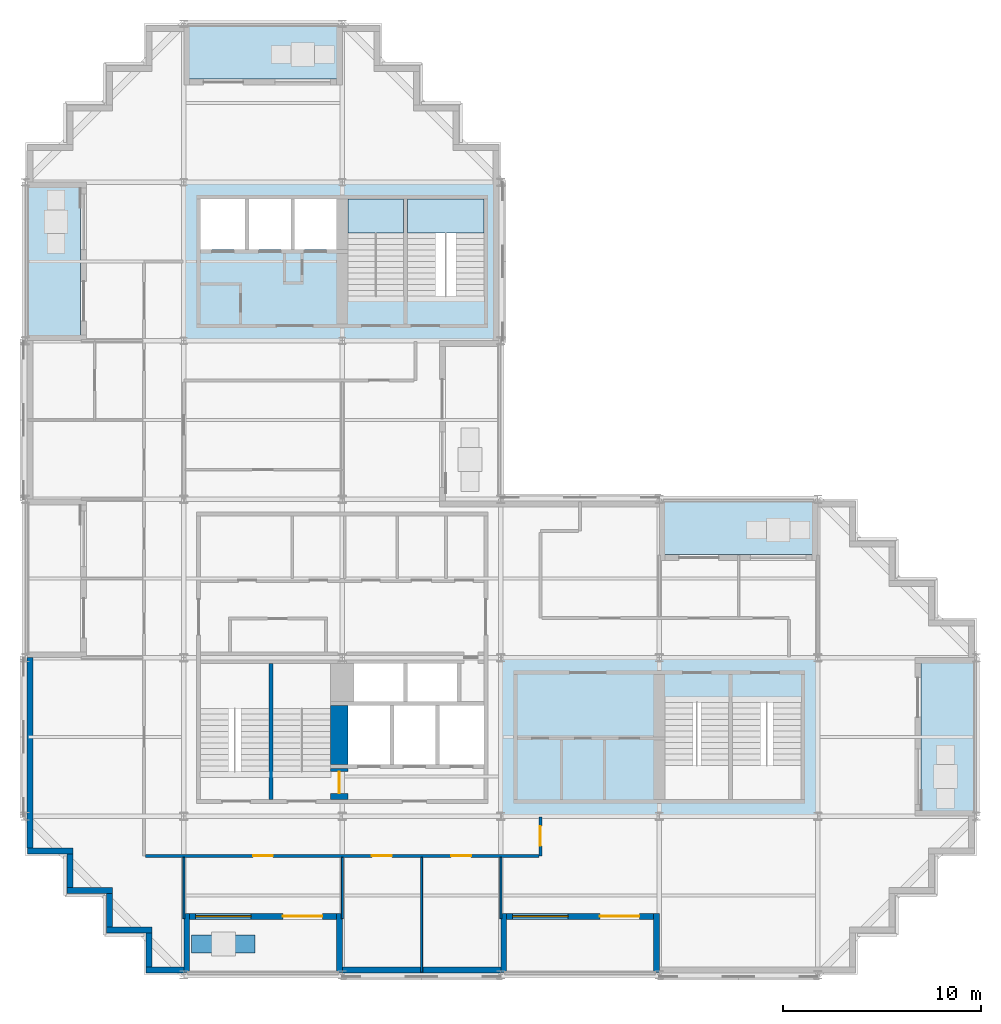
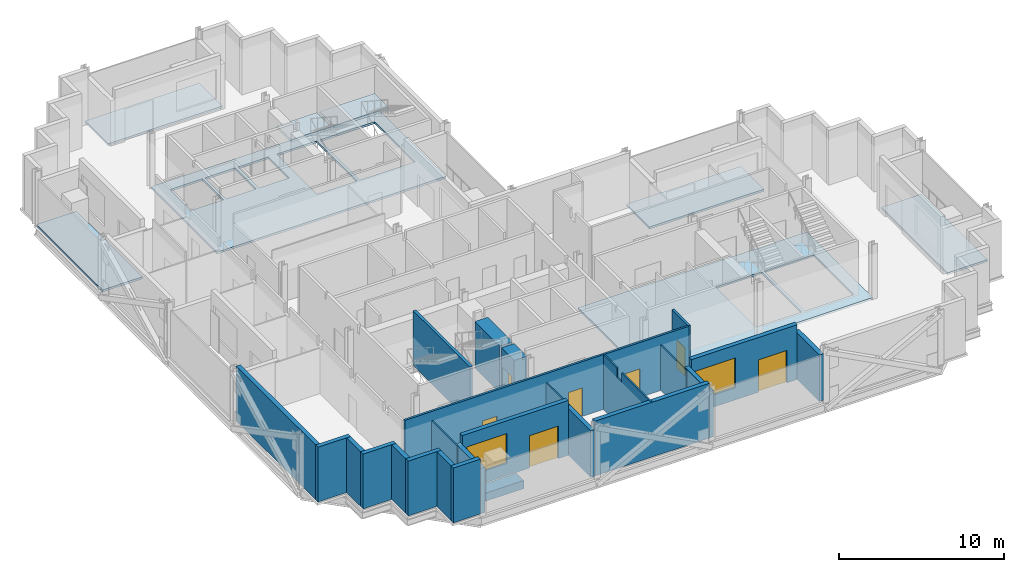
# One storey, part 4 of 12: 25 walls, 8 slabs, 7 doors, 2 windows, 9 openings, 2 elements without a shape of their own.
"""IFC4 building model written with IfcOpenShell, lengths in metres."""

from ifc_helpers import new_model, si_unit, direction, frame, frame_2d, origin, place, context, subcontext, project, spatial, polyline, rectangle, outline, extrude, material, layer, layer_set, type_object, element, fill, aggregate, save


model = new_model("IFC4")

# Units and contexts
model_context = context("Model", 3, precision=1e-05, world=origin(), true_north=direction((0.0, 1.0)))
body_context = subcontext(model_context, "Body", "Model", "MODEL_VIEW")
ifc_project = project(units=[si_unit("LENGTHUNIT", "METRE"), si_unit("AREAUNIT", "SQUARE_METRE"), si_unit("VOLUMEUNIT", "CUBIC_METRE"), si_unit("PLANEANGLEUNIT", "RADIAN"), si_unit("MASSUNIT", "GRAM", prefix="KILO")], contexts=[model_context])

# Site, building, storey
site_placement = place(None, origin())
site = spatial("IfcSite", under=ifc_project, at=site_placement, CompositionType="ELEMENT")
building_placement = place(site_placement, origin())
building = spatial("IfcBuilding", under=site, at=building_placement, Name="Immortelle Media Tower", CompositionType="ELEMENT")
storey_placement = place(building_placement, frame((0.0, 0.0, 153.60009765625)))
storey = spatial("IfcBuildingStorey", under=building, at=storey_placement, Name="L31", CompositionType="ELEMENT", Elevation=153.60009765625)

# Slabs
ifc_material_1 = material(Name="Concrete C50/60 composite deck", Category="concrete")
ifc_layer_1 = layer(ifc_material_1, 0.14990234375)
ifc_layer_set_1 = layer_set([ifc_layer_1], Name="Concrete C50/60 composite deck")
slab_type_1 = type_object("IfcSlabType", Name="Balcony slab 150", PredefinedType="FLOOR", material=ifc_layer_set_1)
slab_1_placement = place(storey_placement, frame((0.0, 0.0, -0.150146484375)))
element("IfcSlab", 1, at=slab_1_placement, inside=storey, type_object=slab_type_1, Name="Balcony slab L31 E0", PredefinedType="FLOOR", context=body_context, shape_type="SweptSolid", body=[
    extrude(outline(polyline([(48.0, 8.0), (48.0, 16.0), (45.199951171875, 16.0), (45.199951171875, 8.0), (48.0, 8.0)])), origin(), (0.0, 0.0, 1.0), 0.150146484375),
])
slab_2_placement = place(storey_placement, frame((0.0, 0.0, -0.150146484375)))
element("IfcSlab", 2, at=slab_2_placement, inside=storey, type_object=slab_type_1, Name="Balcony slab L31 N0", PredefinedType="FLOOR", context=body_context, shape_type="SweptSolid", body=[
    extrude(outline(polyline([(40.0, 21.199951171875), (40.0, 24.0), (32.0, 24.0), (32.0, 21.199951171875), (40.0, 21.199951171875)])), origin(), (0.0, 0.0, 1.0), 0.150146484375),
])
slab_3_placement = place(storey_placement, frame((0.0, 0.0, -0.150146484375)))
element("IfcSlab", 3, at=slab_3_placement, inside=storey, type_object=slab_type_1, Name="Balcony slab L31 N0", PredefinedType="FLOOR", context=body_context, shape_type="SweptSolid", body=[
    extrude(outline(polyline([(16.0, 45.199951171875), (16.0, 48.0), (8.0, 48.0), (8.0, 45.199951171875), (16.0, 45.199951171875)])), origin(), (0.0, 0.0, 1.0), 0.150146484375),
])
slab_4_placement = place(storey_placement, frame((0.0, 0.0, -0.150146484375)))
element("IfcSlab", 4, at=slab_4_placement, inside=storey, type_object=slab_type_1, Name="Balcony slab L31 W0", PredefinedType="FLOOR", context=body_context, shape_type="SweptSolid", body=[
    extrude(outline(polyline([(2.800048828125, 32.0), (2.800048828125, 40.0), (0.0, 40.0), (0.0, 32.0), (2.800048828125, 32.0)])), origin(), (0.0, 0.0, 1.0), 0.150146484375),
])
ifc_material_2 = material(Name="Concrete C50/60", Category="concrete")
ifc_layer_2 = layer(ifc_material_2, 0.14990234375)
ifc_layer_set_2 = layer_set([ifc_layer_2], Name="Concrete C50/60")
slab_type_2 = type_object("IfcSlabType", Name="Core floor slab 150", PredefinedType="FLOOR", material=ifc_layer_set_2)
slab_5_placement = place(storey_placement, frame((0.0, 0.0, -0.150146484375)))
element("IfcSlab", 5, at=slab_5_placement, inside=storey, type_object=slab_type_2, Name="Core floor SE", PredefinedType="FLOOR", context=body_context, shape_type="SweptSolid", body=[
    extrude(outline(polyline([(24.0, 8.0), (40.0, 8.0), (40.0, 16.0), (24.0, 16.0), (24.0, 8.0)]), holes=[polyline([(32.300048828125, 8.85009765625), (35.5, 8.85009765625), (35.5, 13.72998046875), (32.300048828125, 13.72998046875), (32.300048828125, 8.85009765625)]), polyline([(35.699951171875, 8.85009765625), (39.14990234375, 8.85009765625), (39.14990234375, 13.72998046875), (35.699951171875, 13.72998046875), (35.699951171875, 8.85009765625)])]), origin(), (0.0, 0.0, 1.0), 0.150146484375),
])
slab_6_placement = place(storey_placement, frame((0.0, 0.0, -0.150146484375)))
element("IfcSlab", 6, at=slab_6_placement, inside=storey, type_object=slab_type_2, Name="Core floor NW", PredefinedType="FLOOR", context=body_context, shape_type="SweptSolid", body=[
    extrude(outline(polyline([(8.0, 32.0), (24.0, 32.0), (24.0, 40.0), (8.0, 40.0), (8.0, 32.0)]), holes=[polyline([(8.85009765625, 36.60009765625), (11.10009765625, 36.60009765625), (11.10009765625, 39.14990234375), (8.85009765625, 39.14990234375), (8.85009765625, 36.60009765625)]), polyline([(11.300048828125, 36.60009765625), (13.39990234375, 36.60009765625), (13.39990234375, 39.14990234375), (11.300048828125, 39.14990234375), (11.300048828125, 36.60009765625)]), polyline([(13.60009765625, 36.60009765625), (15.699951171875, 36.60009765625), (15.699951171875, 39.14990234375), (13.60009765625, 39.14990234375), (13.60009765625, 36.60009765625)]), polyline([(16.300048828125, 34.27001953125), (19.10009765625, 34.27001953125), (19.10009765625, 39.14990234375), (16.300048828125, 39.14990234375), (16.300048828125, 34.27001953125)]), polyline([(19.300048828125, 34.27001953125), (23.14990234375, 34.27001953125), (23.14990234375, 39.14990234375), (19.300048828125, 39.14990234375), (19.300048828125, 34.27001953125)])]), origin(), (0.0, 0.0, 1.0), 0.150146484375),
])

# Stair, slab
ifc_material_3 = material(Name="Steel ASTM A992 Gr 50", Category="steel")
stair_type = type_object("IfcStairType", Name="Stair with flights", PredefinedType="DOUBLE_RETURN_STAIR", material=ifc_material_3)
stair_1_placement = place(storey_placement, origin())
stair_1 = element("IfcStair", 7, at=stair_1_placement, inside=storey, type_object=stair_type, Name="Exit stair NW1", PredefinedType="DOUBLE_RETURN_STAIR")
ifc_material_4 = material(Name="Steel ASTM A572 Gr 50", Category="steel")
ifc_layer_3 = layer(ifc_material_4, 0.199951171875)
ifc_layer_set_3 = layer_set([ifc_layer_3], Name="Steel ASTM A572 Gr 50")
slab_type_3 = type_object("IfcSlabType", Name="Stair landing 200", PredefinedType="LANDING", material=ifc_layer_set_3)
slab_7_placement = place(storey_placement, frame((0.0, 0.0, 1.89990234375)))
slab_7 = element("IfcSlab", 8, at=slab_7_placement, type_object=slab_type_3, Name="ST NW1 landing 1", PredefinedType="LANDING", context=body_context, shape_type="SweptSolid", body=[
    extrude(outline(polyline([(16.300048828125, 37.43994140625), (19.10009765625, 37.43994140625), (19.10009765625, 39.14990234375), (16.300048828125, 39.14990234375), (16.300048828125, 37.43994140625)])), origin(), (0.0, 0.0, 1.0), 0.199951171875),
])
aggregate(stair_1, [slab_7])

stair_2_placement = place(storey_placement, origin())
stair_2 = element("IfcStair", 9, at=stair_2_placement, inside=storey, type_object=stair_type, Name="Exit stair NW2", PredefinedType="DOUBLE_RETURN_STAIR")
slab_8_placement = place(storey_placement, frame((0.0, 0.0, 1.89990234375)))
slab_8 = element("IfcSlab", 10, at=slab_8_placement, type_object=slab_type_3, Name="ST NW2 landing 1", PredefinedType="LANDING", context=body_context, shape_type="SweptSolid", body=[
    extrude(outline(polyline([(19.300048828125, 37.43994140625), (23.14990234375, 37.43994140625), (23.14990234375, 39.14990234375), (19.300048828125, 39.14990234375), (19.300048828125, 37.43994140625)])), origin(), (0.0, 0.0, 1.0), 0.199951171875),
])
aggregate(stair_2, [slab_8])

# Wall, openings, doors
ifc_material_5 = material(Name="Fire-rated gypsum board", Category="gypsum")
ifc_layer_4 = layer(ifc_material_5, 0.012451171875)
ifc_material_6 = material(Name="Steel ASTM A653 SS Gr 50 stud frame with mineral wool", Category="steel")
ifc_layer_5 = layer(ifc_material_6, 0.125)
ifc_layer_6 = layer(ifc_material_5, 0.012451171875)
ifc_layer_set_4 = layer_set([ifc_layer_4, ifc_layer_5, ifc_layer_6], Name="Steel ASTM A653 SS Gr 50 stud frame with mineral wool")
wall_type_1 = type_object("IfcWallType", Name="Corridor wall 150", PredefinedType="PARTITIONING", material=ifc_layer_set_4)
wall_1_placement = place(storey_placement, frame((6.074951171875, 6.0, 0.0), z_axis=(0.0, 0.0, 1.0), x_axis=(1.0, 0.0, 0.0)))
wall_1 = element("IfcWall", 11, at=wall_1_placement, inside=storey, type_object=wall_type_1, Name="Partition L31-005", PredefinedType="PARTITIONING", context=body_context, shape_type="SweptSolid", body=[
    extrude(rectangle(XDim=19.85009765625, YDim=0.14990234375, at=frame_2d((9.925048828125, 0.0))), origin(), (0.0, 0.0, 1.0), 4.0498046875),
])
opening_1_placement = place(wall_1_placement, frame((12.425048828125, 0.0, 0.0), z_axis=(0.0, 0.0, 1.0), x_axis=(-1.0, 0.0, 0.0)))
opening_1 = element("IfcOpeningElement", 12, at=opening_1_placement, cuts=wall_1, Name="Opening C3-F001", PredefinedType="OPENING", context=body_context, shape_type="SweptSolid", body=[
    extrude(rectangle(XDim=1.0, YDim=2.10009765625, at=frame_2d((0.5, 1.050048828125))), frame((0.0, 0.0849609375, 0.0), z_axis=(0.0, -1.0, 0.0), x_axis=(1.0, 0.0, 0.0)), (0.0, 0.0, 1.0), 0.169921875),
])
opening_2_placement = place(wall_1_placement, frame((16.425048828125, 0.0, 0.0), z_axis=(0.0, 0.0, 1.0), x_axis=(-1.0, 0.0, 0.0)))
opening_2 = element("IfcOpeningElement", 13, at=opening_2_placement, cuts=wall_1, Name="Opening C3-F002", PredefinedType="OPENING", context=body_context, shape_type="SweptSolid", body=[
    extrude(rectangle(XDim=1.0, YDim=2.10009765625, at=frame_2d((0.5, 1.050048828125))), frame((0.0, 0.0849609375, 0.0), z_axis=(0.0, -1.0, 0.0), x_axis=(1.0, 0.0, 0.0)), (0.0, 0.0, 1.0), 0.169921875),
])
opening_3_placement = place(wall_1_placement, frame((6.425048828125, 0.0, 0.0), z_axis=(0.0, 0.0, 1.0), x_axis=(-1.0, 0.0, 0.0)))
opening_3 = element("IfcOpeningElement", 14, at=opening_3_placement, cuts=wall_1, Name="Opening C3-F003", PredefinedType="OPENING", context=body_context, shape_type="SweptSolid", body=[
    extrude(rectangle(XDim=1.0, YDim=2.10009765625, at=frame_2d((0.5, 1.050048828125))), frame((0.0, 0.0849609375, 0.0), z_axis=(0.0, -1.0, 0.0), x_axis=(1.0, 0.0, 0.0)), (0.0, 0.0, 1.0), 0.169921875),
])
ifc_material_7 = material(Name="Timber veneered door leaf, galvanised steel frame ASTM A653", Category="steel")
door_type_1 = type_object("IfcDoorType", Name="Room door 1000 x 2100", OperationType="NOTDEFINED", PredefinedType="DOOR", material=ifc_material_7)
door_1_placement = place(opening_1_placement, origin())
door_1 = element("IfcDoor", 15, at=door_1_placement, inside=storey, type_object=door_type_1, Name="Door C3-F001", OperationType="SINGLE_SWING_RIGHT", OverallHeight=2.10009765625, OverallWidth=1.0, PredefinedType="DOOR", context=body_context, shape_type="SweptSolid", body=[
    extrude(rectangle(XDim=1.0, YDim=2.10009765625, at=frame_2d((0.5, 1.050048828125))), frame((0.0, 0.02490234375, 0.0), z_axis=(0.0, -1.0, 0.0), x_axis=(1.0, 0.0, 0.0)), (0.0, 0.0, 1.0), 0.050048828125),
])
fill(opening_1, door_1)
door_2_placement = place(opening_2_placement, origin())
door_2 = element("IfcDoor", 16, at=door_2_placement, inside=storey, type_object=door_type_1, Name="Door C3-F002", OperationType="SINGLE_SWING_RIGHT", OverallHeight=2.10009765625, OverallWidth=1.0, PredefinedType="DOOR", context=body_context, shape_type="SweptSolid", body=[
    extrude(rectangle(XDim=1.0, YDim=2.10009765625, at=frame_2d((0.5, 1.050048828125))), frame((0.0, 0.02490234375, 0.0), z_axis=(0.0, -1.0, 0.0), x_axis=(1.0, 0.0, 0.0)), (0.0, 0.0, 1.0), 0.050048828125),
])
fill(opening_2, door_2)
door_3_placement = place(opening_3_placement, origin())
door_3 = element("IfcDoor", 17, at=door_3_placement, inside=storey, type_object=door_type_1, Name="Door C3-F003", OperationType="SINGLE_SWING_RIGHT", OverallHeight=2.10009765625, OverallWidth=1.0, PredefinedType="DOOR", context=body_context, shape_type="SweptSolid", body=[
    extrude(rectangle(XDim=1.0, YDim=2.10009765625, at=frame_2d((0.5, 1.050048828125))), frame((0.0, 0.02490234375, 0.0), z_axis=(0.0, -1.0, 0.0), x_axis=(1.0, 0.0, 0.0)), (0.0, 0.0, 1.0), 0.050048828125),
])
fill(opening_3, door_3)

# Wall, opening, door
wall_2_placement = place(storey_placement, frame((26.0, 6.0, 0.0), z_axis=(0.0, 0.0, 1.0), x_axis=(0.0, 1.0, 0.0)))
wall_2 = element("IfcWall", 18, at=wall_2_placement, inside=storey, type_object=wall_type_1, Name="Partition L31-007", PredefinedType="PARTITIONING", context=body_context, shape_type="SweptSolid", body=[
    extrude(rectangle(XDim=1.969970703125, YDim=0.14990234375, at=frame_2d((0.98486328125, 0.0))), origin(), (0.0, 0.0, 1.0), 4.0498046875),
])
opening_4_placement = place(wall_2_placement, frame((1.5, 0.0, 0.0), z_axis=(0.0, 0.0, 1.0), x_axis=(-1.0, 0.0, 0.0)))
opening_4 = element("IfcOpeningElement", 19, at=opening_4_placement, cuts=wall_2, Name="Opening C3-F004", PredefinedType="OPENING", context=body_context, shape_type="SweptSolid", body=[
    extrude(rectangle(XDim=1.0, YDim=2.10009765625, at=frame_2d((0.5, 1.050048828125))), frame((0.0, 0.0849609375, 0.0), z_axis=(0.0, -1.0, 0.0), x_axis=(1.0, 0.0, 0.0)), (0.0, 0.0, 1.0), 0.169921875),
])
door_4_placement = place(opening_4_placement, origin())
door_4 = element("IfcDoor", 20, at=door_4_placement, inside=storey, type_object=door_type_1, Name="Door C3-F004", OperationType="SINGLE_SWING_LEFT", OverallHeight=2.10009765625, OverallWidth=1.0, PredefinedType="DOOR", context=body_context, shape_type="SweptSolid", body=[
    extrude(rectangle(XDim=1.0, YDim=2.10009765625, at=frame_2d((0.5, 1.050048828125))), frame((0.0, 0.02490234375, 0.0), z_axis=(0.0, -1.0, 0.0), x_axis=(1.0, 0.0, 0.0)), (0.0, 0.0, 1.0), 0.050048828125),
])
fill(opening_4, door_4)

# Walls
ifc_material_8 = material(Name="Pale aluminium cladding panel", Category="aluminium")
ifc_layer_7 = layer(ifc_material_8, 0.030029296875)
ifc_layer_8 = layer(ifc_material_6, 0.257568359375)
ifc_material_9 = material(Name="Moisture-resistant gypsum board", Category="gypsum")
ifc_layer_9 = layer(ifc_material_9, 0.012451171875)
ifc_layer_set_5 = layer_set([ifc_layer_7, ifc_layer_8, ifc_layer_9], Name="Steel ASTM A653 SS Gr 50 stud frame with mineral wool")
wall_type_2 = type_object("IfcWallType", Name="Facade wall 300", PredefinedType="SOLIDWALL", material=ifc_layer_set_5)
wall_3_placement = place(storey_placement, frame((0.10009765625, 6.25, 0.0), z_axis=(0.0, 0.0, 1.0), x_axis=(1.0, 0.0, 0.0)))
element("IfcWall", 21, at=wall_3_placement, inside=storey, type_object=wall_type_2, Name="Facade wall L31 S0", PredefinedType="SOLIDWALL", context=body_context, shape_type="SweptSolid", body=[
    extrude(rectangle(XDim=2.2998046875, YDim=0.300048828125, at=frame_2d((1.14990234375, 0.0))), origin(), (0.0, 0.0, 1.0), 4.0498046875),
])
wall_4_placement = place(storey_placement, frame((2.25, 6.10009765625, 0.0), z_axis=(0.0, 0.0, 1.0), x_axis=(0.0, -1.0, 0.0)))
element("IfcWall", 22, at=wall_4_placement, inside=storey, type_object=wall_type_2, Name="Facade wall L31 W1", PredefinedType="SOLIDWALL", context=body_context, shape_type="SweptSolid", body=[
    extrude(rectangle(XDim=1.7001953125, YDim=0.300048828125, at=frame_2d((0.85009765625, 0.0))), origin(), (0.0, 0.0, 1.0), 4.0498046875),
])
wall_5_placement = place(storey_placement, frame((2.10009765625, 4.25, 0.0), z_axis=(0.0, 0.0, 1.0), x_axis=(1.0, 0.0, 0.0)))
element("IfcWall", 23, at=wall_5_placement, inside=storey, type_object=wall_type_2, Name="Facade wall L31 S2", PredefinedType="SOLIDWALL", context=body_context, shape_type="SweptSolid", body=[
    extrude(rectangle(XDim=2.2998046875, YDim=0.300048828125, at=frame_2d((1.14990234375, 0.0))), origin(), (0.0, 0.0, 1.0), 4.0498046875),
])
wall_6_placement = place(storey_placement, frame((4.25, 4.10009765625, 0.0), z_axis=(0.0, 0.0, 1.0), x_axis=(0.0, -1.0, 0.0)))
element("IfcWall", 24, at=wall_6_placement, inside=storey, type_object=wall_type_2, Name="Facade wall L31 W3", PredefinedType="SOLIDWALL", context=body_context, shape_type="SweptSolid", body=[
    extrude(rectangle(XDim=1.7001953125, YDim=0.300048828125, at=frame_2d((0.85009765625, 0.0))), origin(), (0.0, 0.0, 1.0), 4.0498046875),
])
wall_7_placement = place(storey_placement, frame((4.10009765625, 2.25, 0.0), z_axis=(0.0, 0.0, 1.0), x_axis=(1.0, 0.0, 0.0)))
element("IfcWall", 25, at=wall_7_placement, inside=storey, type_object=wall_type_2, Name="Facade wall L31 S4", PredefinedType="SOLIDWALL", context=body_context, shape_type="SweptSolid", body=[
    extrude(rectangle(XDim=2.2998046875, YDim=0.300048828125, at=frame_2d((1.14990234375, 0.0))), origin(), (0.0, 0.0, 1.0), 4.0498046875),
])
wall_8_placement = place(storey_placement, frame((6.25, 2.10009765625, 0.0), z_axis=(0.0, 0.0, 1.0), x_axis=(0.0, -1.0, 0.0)))
element("IfcWall", 26, at=wall_8_placement, inside=storey, type_object=wall_type_2, Name="Facade wall L31 W5", PredefinedType="SOLIDWALL", context=body_context, shape_type="SweptSolid", body=[
    extrude(rectangle(XDim=1.7001953125, YDim=0.300048828125, at=frame_2d((0.85009765625, 0.0))), origin(), (0.0, 0.0, 1.0), 4.0498046875),
])
wall_9_placement = place(storey_placement, frame((6.10009765625, 0.25, 0.0), z_axis=(0.0, 0.0, 1.0), x_axis=(1.0, 0.0, 0.0)))
element("IfcWall", 27, at=wall_9_placement, inside=storey, type_object=wall_type_2, Name="Facade wall L31 S6", PredefinedType="SOLIDWALL", context=body_context, shape_type="SweptSolid", body=[
    extrude(rectangle(XDim=1.89990234375, YDim=0.300048828125, at=frame_2d((0.949951171875, 0.0))), origin(), (0.0, 0.0, 1.0), 4.0498046875),
])

# Wall, openings, door, window
wall_10_placement = place(storey_placement, frame((8.300048828125, 2.949951171875, 0.0), z_axis=(0.0, 0.0, 1.0), x_axis=(1.0, 0.0, 0.0)))
wall_10 = element("IfcWall", 28, at=wall_10_placement, inside=storey, type_object=wall_type_2, Name="Loggia wall L31 S6", PredefinedType="SOLIDWALL", context=body_context, shape_type="SweptSolid", body=[
    extrude(rectangle(XDim=7.39990234375, YDim=0.300048828125, at=frame_2d((3.699951171875, 0.0))), origin(), (0.0, 0.0, 1.0), 4.0498046875),
])
opening_5_placement = place(wall_10_placement, frame((0.300048828125, 0.0, 0.89990234375)))
opening_5 = element("IfcOpeningElement", 29, at=opening_5_placement, cuts=wall_10, Name="Opening W1", PredefinedType="OPENING", context=body_context, shape_type="SweptSolid", body=[
    extrude(rectangle(XDim=2.800048828125, YDim=2.199951171875, at=frame_2d((1.39990234375, 1.10009765625))), frame((0.0, 0.159912109375, 0.0), z_axis=(0.0, -1.0, 0.0), x_axis=(1.0, 0.0, 0.0)), (0.0, 0.0, 1.0), 0.320068359375),
])
opening_6_placement = place(wall_10_placement, frame((4.699951171875, 0.0, 0.0)))
opening_6 = element("IfcOpeningElement", 30, at=opening_6_placement, cuts=wall_10, Name="Opening C3-E001", PredefinedType="OPENING", context=body_context, shape_type="SweptSolid", body=[
    extrude(rectangle(XDim=2.0, YDim=2.39990234375, at=frame_2d((1.0, 1.199951171875))), frame((0.0, 0.159912109375, 0.0), z_axis=(0.0, -1.0, 0.0), x_axis=(1.0, 0.0, 0.0)), (0.0, 0.0, 1.0), 0.320068359375),
])
ifc_material_10 = material(Name="Aluminium frame, glazed leaves", Category="aluminium")
door_type_2 = type_object("IfcDoorType", Name="Loggia door 2000 x 2400", OperationType="DOUBLE_DOOR_SINGLE_SWING", PredefinedType="DOOR", material=ifc_material_10)
door_5_placement = place(opening_6_placement, origin())
door_5 = element("IfcDoor", 31, at=door_5_placement, inside=storey, type_object=door_type_2, Name="Door C3-E001", OperationType="DOUBLE_DOOR_SINGLE_SWING", OverallHeight=2.39990234375, OverallWidth=2.0, PredefinedType="DOOR", context=body_context, shape_type="SweptSolid", body=[
    extrude(rectangle(XDim=2.0, YDim=2.39990234375, at=frame_2d((1.0, 1.199951171875))), frame((0.0, 0.02490234375, 0.0), z_axis=(0.0, -1.0, 0.0), x_axis=(1.0, 0.0, 0.0)), (0.0, 0.0, 1.0), 0.050048828125),
])
fill(opening_6, door_5)
ifc_material_11 = material(Name="Aluminium frame", Category="aluminium")
window_type = type_object("IfcWindowType", Name="Window 2800 x 2200", PartitioningType="SINGLE_PANEL", PredefinedType="WINDOW", material=ifc_material_11)
window_1_placement = place(opening_5_placement, origin())
window_1 = element("IfcWindow", 32, at=window_1_placement, inside=storey, type_object=window_type, Name="Window L31 L31-R6-B0", OverallHeight=2.199951171875, OverallWidth=2.800048828125, PartitioningType="SINGLE_PANEL", PredefinedType="WINDOW", context=body_context, shape_type="SweptSolid", body=[
    extrude(rectangle(XDim=2.800048828125, YDim=2.199951171875, at=frame_2d((1.39990234375, 1.10009765625))), frame((0.0, 0.030029296875, 0.0), z_axis=(0.0, -1.0, 0.0), x_axis=(1.0, 0.0, 0.0)), (0.0, 0.0, 1.0), 0.06005859375),
])
fill(opening_5, window_1)

# Walls
wall_11_placement = place(storey_placement, frame((8.14990234375, 0.10009765625, 0.0), z_axis=(0.0, 0.0, 1.0), x_axis=(0.0, 1.0, 0.0)))
element("IfcWall", 33, at=wall_11_placement, inside=storey, type_object=wall_type_2, Name="Loggia cheek wall L31 S", PredefinedType="SOLIDWALL", context=body_context, shape_type="SweptSolid", body=[
    extrude(rectangle(XDim=3.0, YDim=0.300048828125, at=frame_2d((1.5, 0.0))), origin(), (0.0, 0.0, 1.0), 3.352783203125),
])
wall_12_placement = place(storey_placement, frame((15.85009765625, 0.10009765625, 0.0), z_axis=(0.0, 0.0, 1.0), x_axis=(0.0, 1.0, 0.0)))
element("IfcWall", 34, at=wall_12_placement, inside=storey, type_object=wall_type_2, Name="Loggia cheek wall L31 S", PredefinedType="SOLIDWALL", context=body_context, shape_type="SweptSolid", body=[
    extrude(rectangle(XDim=3.0, YDim=0.300048828125, at=frame_2d((1.5, 0.0))), origin(), (0.0, 0.0, 1.0), 3.43701171875),
])
wall_13_placement = place(storey_placement, frame((16.0, 0.25, 0.0), z_axis=(0.0, 0.0, 1.0), x_axis=(1.0, 0.0, 0.0)))
element("IfcWall", 35, at=wall_13_placement, inside=storey, type_object=wall_type_2, Name="Facade wall L31 S6", PredefinedType="SOLIDWALL", context=body_context, shape_type="SweptSolid", body=[
    extrude(rectangle(XDim=8.0, YDim=0.300048828125, at=frame_2d((4.0, 0.0))), origin(), (0.0, 0.0, 1.0), 4.0498046875),
])

# Wall, openings, door, window
wall_14_placement = place(storey_placement, frame((24.300048828125, 2.949951171875, 0.0), z_axis=(0.0, 0.0, 1.0), x_axis=(1.0, 0.0, 0.0)))
wall_14 = element("IfcWall", 36, at=wall_14_placement, inside=storey, type_object=wall_type_2, Name="Loggia wall L31 S6", PredefinedType="SOLIDWALL", context=body_context, shape_type="SweptSolid", body=[
    extrude(rectangle(XDim=7.39990234375, YDim=0.300048828125, at=frame_2d((3.699951171875, 0.0))), origin(), (0.0, 0.0, 1.0), 4.0498046875),
])
opening_7_placement = place(wall_14_placement, frame((0.300048828125, 0.0, 0.89990234375)))
opening_7 = element("IfcOpeningElement", 37, at=opening_7_placement, cuts=wall_14, Name="Opening W1", PredefinedType="OPENING", context=body_context, shape_type="SweptSolid", body=[
    extrude(rectangle(XDim=2.800048828125, YDim=2.199951171875, at=frame_2d((1.39990234375, 1.10009765625))), frame((0.0, 0.159912109375, 0.0), z_axis=(0.0, -1.0, 0.0), x_axis=(1.0, 0.0, 0.0)), (0.0, 0.0, 1.0), 0.320068359375),
])
opening_8_placement = place(wall_14_placement, frame((4.699951171875, 0.0, 0.0)))
opening_8 = element("IfcOpeningElement", 38, at=opening_8_placement, cuts=wall_14, Name="Opening C3-E002", PredefinedType="OPENING", context=body_context, shape_type="SweptSolid", body=[
    extrude(rectangle(XDim=2.0, YDim=2.39990234375, at=frame_2d((1.0, 1.199951171875))), frame((0.0, 0.159912109375, 0.0), z_axis=(0.0, -1.0, 0.0), x_axis=(1.0, 0.0, 0.0)), (0.0, 0.0, 1.0), 0.320068359375),
])
door_6_placement = place(opening_8_placement, origin())
door_6 = element("IfcDoor", 39, at=door_6_placement, inside=storey, type_object=door_type_2, Name="Door C3-E002", OperationType="DOUBLE_DOOR_SINGLE_SWING", OverallHeight=2.39990234375, OverallWidth=2.0, PredefinedType="DOOR", context=body_context, shape_type="SweptSolid", body=[
    extrude(rectangle(XDim=2.0, YDim=2.39990234375, at=frame_2d((1.0, 1.199951171875))), frame((0.0, 0.02490234375, 0.0), z_axis=(0.0, -1.0, 0.0), x_axis=(1.0, 0.0, 0.0)), (0.0, 0.0, 1.0), 0.050048828125),
])
fill(opening_8, door_6)
window_2_placement = place(opening_7_placement, origin())
window_2 = element("IfcWindow", 40, at=window_2_placement, inside=storey, type_object=window_type, Name="Window L31 L31-R6-B2", OverallHeight=2.199951171875, OverallWidth=2.800048828125, PartitioningType="SINGLE_PANEL", PredefinedType="WINDOW", context=body_context, shape_type="SweptSolid", body=[
    extrude(rectangle(XDim=2.800048828125, YDim=2.199951171875, at=frame_2d((1.39990234375, 1.10009765625))), frame((0.0, 0.030029296875, 0.0), z_axis=(0.0, -1.0, 0.0), x_axis=(1.0, 0.0, 0.0)), (0.0, 0.0, 1.0), 0.06005859375),
])
fill(opening_7, window_2)

# Walls
for number, where, z_axis, x_axis, name in (
    (41, (24.14990234375, 0.10009765625, 0.0), (0.0, 0.0, 1.0), (0.0, 1.0, 0.0), "Loggia cheek wall L31 S"),
    (42, (31.85009765625, 0.10009765625, 0.0), (0.0, 0.0, 1.0), (0.0, 1.0, 0.0), "Loggia cheek wall L31 S"),
):
    element("IfcWall", number, at=place(storey_placement, frame(where, z_axis=z_axis, x_axis=x_axis)), inside=storey, type_object=wall_type_2, Name=name, PredefinedType="SOLIDWALL", context=body_context, shape_type="SweptSolid", body=[
        extrude(rectangle(XDim=3.0, YDim=0.300048828125, at=frame_2d((1.5, 0.0))), origin(), (0.0, 0.0, 1.0), 3.43701171875),
    ])
wall_15_placement = place(storey_placement, frame((0.25, 16.0, 0.0), z_axis=(0.0, 0.0, 1.0), x_axis=(0.0, -1.0, 0.0)))
element("IfcWall", 43, at=wall_15_placement, inside=storey, type_object=wall_type_2, Name="Facade wall L31 W35", PredefinedType="SOLIDWALL", context=body_context, shape_type="SweptSolid", body=[
    extrude(rectangle(XDim=9.60009765625, YDim=0.300048828125, at=frame_2d((4.800048828125, 0.0))), origin(), (0.0, 0.0, 1.0), 4.0498046875),
])
ifc_material_12 = material(Name="Gypsum board", Category="gypsum")
ifc_layer_10 = layer(ifc_material_12, 0.012451171875)
ifc_layer_11 = layer(ifc_material_6, 0.074951171875)
ifc_layer_12 = layer(ifc_material_12, 0.012451171875)
ifc_layer_set_6 = layer_set([ifc_layer_10, ifc_layer_11, ifc_layer_12], Name="Steel ASTM A653 SS Gr 50 stud frame with mineral wool")
wall_type_3 = type_object("IfcWallType", Name="Partition 100", PredefinedType="PARTITIONING", material=ifc_layer_set_6)
wall_16_placement = place(storey_placement, frame((20.0, 0.1298828125, 0.0), z_axis=(0.0, 0.0, 1.0), x_axis=(0.0, 1.0, 0.0)))
element("IfcWall", 44, at=wall_16_placement, inside=storey, type_object=wall_type_3, Name="Partition L31-001", PredefinedType="PARTITIONING", context=body_context, shape_type="SweptSolid", body=[
    extrude(outline(polyline([(0.0, 0.0), (5.795166015625, 0.0), (5.794921875, 4.0498046875), (4.169921875, 4.0498046875), (4.16796875, 3.35400390625), (3.572021484375, 3.35400390625), (3.570068359375, 4.0498046875), (0.0, 4.0498046875), (0.0, 0.0)])), frame((0.0, 0.050048828125, 0.0), z_axis=(0.0, -1.0, 0.0), x_axis=(1.0, 0.0, 0.0)), (0.0, 0.0, 1.0), 0.10009765625),
])
for number, where, z_axis, x_axis, name in (
    (45, (8.0, 2.830078125, 0.0), (0.0, 0.0, 1.0), (0.0, 1.0, 0.0), "Partition L31-002"),
    (46, (16.0, 2.830078125, 0.0), (0.0, 0.0, 1.0), (0.0, 1.0, 0.0), "Partition L31-003"),
    (47, (24.0, 2.830078125, 0.0), (0.0, 0.0, 1.0), (0.0, 1.0, 0.0), "Partition L31-004"),
):
    element("IfcWall", number, at=place(storey_placement, frame(where, z_axis=z_axis, x_axis=x_axis)), inside=storey, type_object=wall_type_3, Name=name, PredefinedType="PARTITIONING", context=body_context, shape_type="SweptSolid", body=[
        extrude(rectangle(XDim=3.094970703125, YDim=0.10009765625, at=frame_2d((1.54736328125, 0.0))), origin(), (0.0, 0.0, 1.0), 3.35400390625),
    ])
ifc_layer_13 = layer(ifc_material_8, 0.0029296875)
ifc_material_13 = material(Name="Steel ASTM A572 Gr 50 planter shell", Category="steel")
ifc_layer_14 = layer(ifc_material_13, 0.011962890625)
ifc_material_14 = material(Name="Planting substrate", Category="soil")
ifc_layer_15 = layer(ifc_material_14, 0.873046875)
ifc_layer_16 = layer(ifc_material_13, 0.011962890625)
ifc_layer_set_7 = layer_set([ifc_layer_13, ifc_layer_14, ifc_layer_15, ifc_layer_16], Name="Steel ASTM A572 Gr 50 planter shell")
wall_type_4 = type_object("IfcWallType", Name="Planter wall 900", PredefinedType="SOLIDWALL", material=ifc_layer_set_7)
wall_17_placement = place(storey_placement, frame((8.39990234375, 1.550048828125, 0.0), z_axis=(0.0, 0.0, 1.0), x_axis=(1.0, 0.0, 0.0)))
element("IfcWall", 48, at=wall_17_placement, inside=storey, type_object=wall_type_4, Name="Planter L31 S0", PredefinedType="SOLIDWALL", context=body_context, shape_type="SweptSolid", body=[
    extrude(rectangle(XDim=3.2001953125, YDim=0.89990234375, at=frame_2d((1.60009765625, 0.0))), origin(), (0.0, 0.0, 1.0), 0.599853515625),
])
ifc_material_15 = material(Name="Concrete C60", Category="concrete")
ifc_layer_17 = layer(ifc_material_15, 0.199951171875)
ifc_layer_set_8 = layer_set([ifc_layer_17], Name="Concrete C60")
wall_type_5 = type_object("IfcWallType", Name="Stair shaft wall 200", PredefinedType="PARTITIONING", material=ifc_layer_set_8)
wall_18_placement = place(storey_placement, frame((12.39990234375, 8.85009765625, 0.0), z_axis=(0.0, 0.0, 1.0), x_axis=(0.0, 1.0, 0.0)))
element("IfcWall", 49, at=wall_18_placement, inside=storey, type_object=wall_type_5, Name="Stair shaft wall SW", PredefinedType="PARTITIONING", context=body_context, shape_type="SweptSolid", body=[
    extrude(rectangle(XDim=6.849853515625, YDim=0.199951171875, at=frame_2d((3.4248046875, 0.0))), origin(), (0.0, 0.0, 1.0), 4.0498046875),
])

# Wall, opening, door
ifc_layer_18 = layer(ifc_material_15, 0.89990234375)
ifc_layer_set_9 = layer_set([ifc_layer_18], Name="Concrete C60")
wall_type_6 = type_object("IfcWallType", Name="Stair shaft wall 900", PredefinedType="PARTITIONING", material=ifc_layer_set_9)
wall_19_placement = place(storey_placement, frame((15.85009765625, 8.85009765625, 0.0), z_axis=(0.0, 0.0, 1.0), x_axis=(0.0, 1.0, 0.0)))
wall_19 = element("IfcWall", 50, at=wall_19_placement, inside=storey, type_object=wall_type_6, Name="Stair shaft wall SW", PredefinedType="PARTITIONING", context=body_context, shape_type="SweptSolid", body=[
    extrude(rectangle(XDim=1.5498046875, YDim=0.89990234375, at=frame_2d((0.77490234375, 0.0))), origin(), (0.0, 0.0, 1.0), 3.44189453125),
])
opening_9_placement = place(wall_19_placement, frame((0.300048828125, 0.0, 0.0)))
opening_9 = element("IfcOpeningElement", 51, at=opening_9_placement, cuts=wall_19, Name="Opening C3-K007", PredefinedType="OPENING", context=body_context, shape_type="SweptSolid", body=[
    extrude(rectangle(XDim=1.10009765625, YDim=2.10009765625, at=frame_2d((0.550048828125, 1.050048828125))), frame((0.0, 0.4599609375, 0.0), z_axis=(0.0, -1.0, 0.0), x_axis=(1.0, 0.0, 0.0)), (0.0, 0.0, 1.0), 0.919921875),
])
ifc_material_16 = material(Name="Galvanised steel door leaf and frame ASTM A653", Category="steel")
door_type_3 = type_object("IfcDoorType", Name="Stair lobby door 1100 x 2100", OperationType="NOTDEFINED", PredefinedType="NOTDEFINED", material=ifc_material_16)
door_7_placement = place(opening_9_placement, origin())
door_7 = element("IfcDoor", 52, at=door_7_placement, inside=storey, type_object=door_type_3, Name="Stair lobby C3-K007", OperationType="SINGLE_SWING_LEFT", OverallHeight=2.10009765625, OverallWidth=1.10009765625, PredefinedType="NOTDEFINED", context=body_context, shape_type="SweptSolid", body=[
    extrude(rectangle(XDim=1.10009765625, YDim=2.10009765625, at=frame_2d((0.550048828125, 1.050048828125))), frame((0.0, 0.02490234375, 0.0), z_axis=(0.0, -1.0, 0.0), x_axis=(1.0, 0.0, 0.0)), (0.0, 0.0, 1.0), 0.050048828125),
])
fill(opening_9, door_7)

# Wall
wall_20_placement = place(storey_placement, frame((15.85009765625, 10.60009765625, 0.0), z_axis=(0.0, 0.0, 1.0), x_axis=(0.0, 1.0, 0.0)))
element("IfcWall", 53, at=wall_20_placement, inside=storey, type_object=wall_type_6, Name="Stair shaft wall SW", PredefinedType="PARTITIONING", context=body_context, shape_type="SweptSolid", body=[
    extrude(rectangle(XDim=3.0, YDim=0.89990234375, at=frame_2d((1.5, 0.0))), origin(), (0.0, 0.0, 1.0), 3.44189453125),
])

save(model, "model.ifc")
